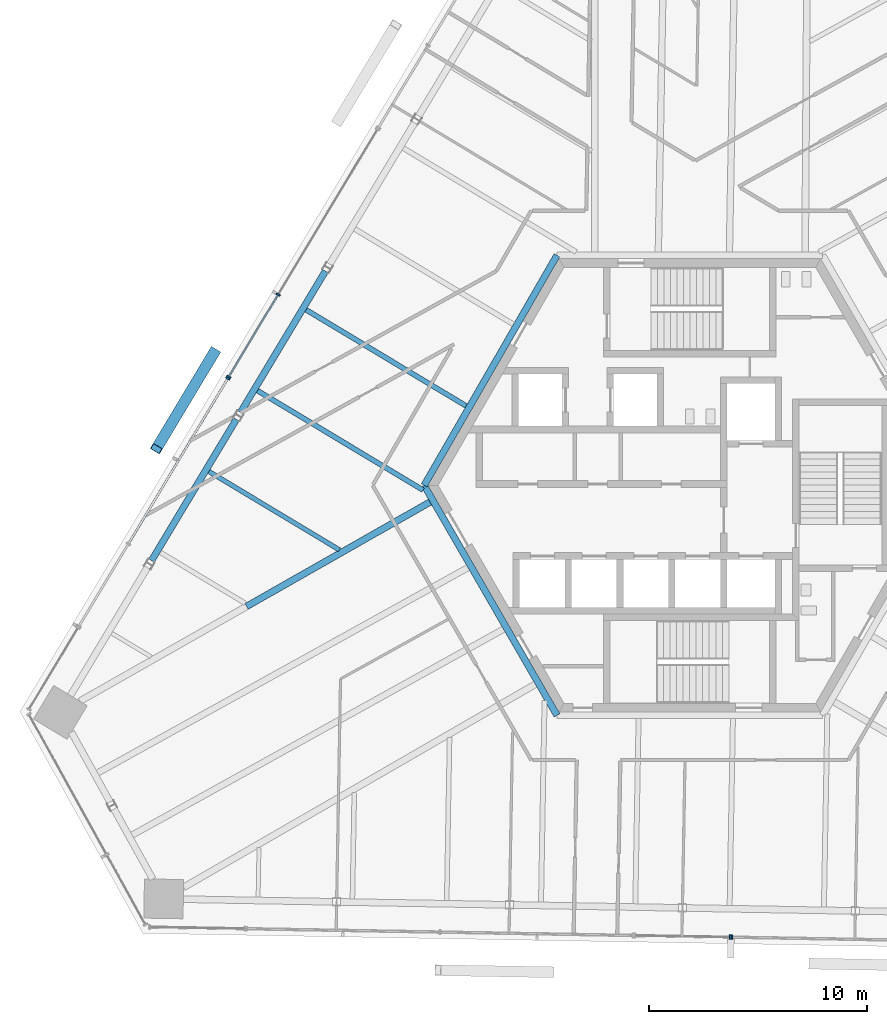
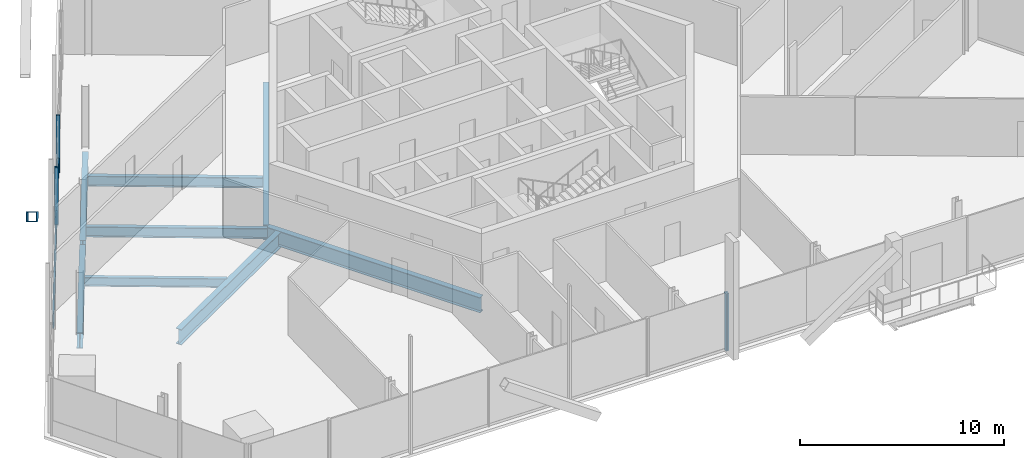
# One storey, part 5 of 21: 8 beams, 8 members, 4 elements without a shape of their own.
"""IFC4 building model written with IfcOpenShell, lengths in metres."""

from ifc_helpers import new_model, si_unit, direction, frame, origin, origin_2d, place, context, subcontext, project, spatial, rectangle, hollow_rectangle, i_section, extrude, source, transform, mapped, material, material_profile, profile_set, type_object, element, aggregate, save


model = new_model("IFC4")

# Units and contexts
model_context = context("Model", 3, precision=1e-05, world=origin(), true_north=direction((0.0, 1.0)))
body_context = subcontext(model_context, "Body", "Model", "MODEL_VIEW")
ifc_project = project(units=[si_unit("LENGTHUNIT", "METRE"), si_unit("AREAUNIT", "SQUARE_METRE"), si_unit("VOLUMEUNIT", "CUBIC_METRE"), si_unit("PLANEANGLEUNIT", "RADIAN"), si_unit("MASSUNIT", "GRAM", prefix="KILO")], contexts=[model_context])

# Site, building, storey
site_placement = place(None, origin())
site = spatial("IfcSite", under=ifc_project, at=site_placement, CompositionType="ELEMENT")
building_placement = place(site_placement, origin())
building = spatial("IfcBuilding", under=site, at=building_placement, Name="Triune Harvest Tower", CompositionType="ELEMENT")
storey_placement = place(building_placement, frame((0.0, 0.0, 201.5)))
storey = spatial("IfcBuildingStorey", under=building, at=storey_placement, Name="L52", CompositionType="ELEMENT", Elevation=201.5)

# Beams
ifc_material_1 = material(Name="Steel ASTM A992 Gr 50", Category="steel")
ifc_material_profile_1 = material_profile(ifc_material_1, i_section(OverallWidth=0.3046875, OverallDepth=0.914306640625, WebThickness=0.0166015625, FlangeThickness=0.02587890625, at=origin_2d()), Name="W36x160")
ifc_profile_set_1 = profile_set([ifc_material_profile_1], Name="Steel ASTM A992 Gr 50")
beam_type_1 = type_object("IfcBeamType", Name="CG-1 Core ring girder W36x160", PredefinedType="BEAM", material=ifc_profile_set_1)
shared_shape_1 = source(origin(), body_context, "Body", "SweptSolid", [
    extrude(i_section(OverallWidth=0.3046875, OverallDepth=0.914306640625, WebThickness=0.0166015625, FlangeThickness=0.02587890625, at=origin_2d()), origin(), (0.0, 0.0, 1.0), 12.176025390625),
])
for number, where, z_axis, x_axis, name in (
    (1, (-6.087890625, 10.544677734375, -0.6171875), (-0.5000099932, -0.866019634131, 0.0), (0.866019634131, -0.5000099932, 0.0), "beam/L52/CG3"),
    (2, (-12.176025390625, 0.0, -0.6171875), (0.5000099932, -0.866019634131, 0.0), (0.866019634131, 0.5000099932, 0.0), "beam/L52/CG4"),
):
    element("IfcBeam", number, at=place(storey_placement, frame(where, z_axis=z_axis, x_axis=x_axis)), inside=storey, type_object=beam_type_1, Name=name, PredefinedType="BEAM", context=body_context, shape_type="MappedRepresentation", body=[
        mapped(shared_shape_1, transform((0.0, 0.0, 0.0), scale=1.0)),
    ])
ifc_material_2 = material(Name="Steel ASTM A992 Gr 50", Category="steel")
ifc_material_profile_2 = material_profile(ifc_material_2, i_section(OverallWidth=0.307373046875, OverallDepth=0.922119140625, WebThickness=0.018310546875, FlangeThickness=0.030029296875, at=origin_2d()), Name="W36x182")
ifc_profile_set_2 = profile_set([ifc_material_profile_2], Name="Steel ASTM A992 Gr 50")
beam_type_2 = type_object("IfcBeamType", Name="HG-2 Hip girder W36x182", PredefinedType="BEAM", material=ifc_profile_set_2)
shared_shape_2 = source(origin(), body_context, "Body", "SweptSolid", [
    extrude(i_section(OverallWidth=0.307373046875, OverallDepth=0.922119140625, WebThickness=0.018310546875, FlangeThickness=0.030029296875, at=origin_2d()), origin(), (0.0, 0.0, 1.0), 9.672119140625),
])
beam_1_placement = place(storey_placement, frame((-20.31591796875, -5.549560546875, -0.62109375), z_axis=(0.869255664029, 0.494362812673, 0.0), x_axis=(-0.494362812673, 0.869255664029, 0.0)))
element("IfcBeam", 3, at=beam_1_placement, inside=storey, type_object=beam_type_2, Name="beam/L52/HG6", PredefinedType="BEAM", context=body_context, shape_type="MappedRepresentation", body=[
    mapped(shared_shape_2, transform((0.0, 0.0, 0.0), scale=1.0)),
])
ifc_material_3 = material(Name="Steel ASTM A992 Gr 50", Category="steel")
ifc_material_profile_3 = material_profile(ifc_material_3, i_section(OverallWidth=0.3046875, OverallDepth=0.914306640625, WebThickness=0.0166015625, FlangeThickness=0.02587890625, at=origin_2d()), Name="W36x160")
ifc_profile_set_3 = profile_set([ifc_material_profile_3], Name="Steel ASTM A992 Gr 50")
beam_type_3 = type_object("IfcBeamType", Name="SB-1 Spandrel beam W36x160", PredefinedType="SPANDREL", material=ifc_profile_set_3)
shared_shape_3 = source(origin(), body_context, "Body", "SweptSolid", [
    extrude(i_section(OverallWidth=0.3046875, OverallDepth=0.914306640625, WebThickness=0.0166015625, FlangeThickness=0.02587890625, at=origin_2d()), origin(), (0.0, 0.0, 1.0), 7.556396484375),
])
for number, where, z_axis, x_axis, name in (
    (4, (-16.702880859375, 9.81982421875, -0.6171875), (-0.515065795781, -0.857150643712, 0.0), (0.857150643712, -0.515065795781, 0.0), "beam/L52/SB12"),
    (5, (-20.785888671875, 3.02490234375, -0.6171875), (-0.51504205773, -0.85716490757, 0.0), (0.85716490757, -0.51504205773, 0.0), "beam/L52/SB13"),
):
    element("IfcBeam", number, at=place(storey_placement, frame(where, z_axis=z_axis, x_axis=x_axis)), inside=storey, type_object=beam_type_3, Name=name, PredefinedType="SPANDREL", context=body_context, shape_type="MappedRepresentation", body=[
        mapped(shared_shape_3, transform((0.0, 0.0, 0.0), scale=1.0)),
    ])
ifc_material_4 = material(Name="Steel ASTM A992 Gr 50", Category="steel")
ifc_material_profile_4 = material_profile(ifc_material_4, i_section(OverallWidth=0.22900390625, OverallDepth=0.612060546875, WebThickness=0.011962890625, FlangeThickness=0.01953125, at=origin_2d()), Name="W24x84")
ifc_profile_set_4 = profile_set([ifc_material_profile_4], Name="Steel ASTM A992 Gr 50")
beam_type_4 = type_object("IfcBeamType", Name="JT-3 Floor joist W24x84", PredefinedType="JOIST", material=ifc_profile_set_4)
shared_shape_4 = source(origin(), body_context, "Body", "SweptSolid", [
    extrude(i_section(OverallWidth=0.22900390625, OverallDepth=0.612060546875, WebThickness=0.011962890625, FlangeThickness=0.01953125, at=origin_2d()), origin(), (0.0, 0.0, 1.0), 8.85888671875),
])
beam_2_placement = place(storey_placement, frame((-19.8173828125, 4.3408203125, -0.466064453125), z_axis=(0.857174209269, -0.515026576948, 0.0), x_axis=(0.515026576948, 0.857174209269, 0.0)))
element("IfcBeam", 6, at=beam_2_placement, inside=storey, type_object=beam_type_4, Name="beam/L52/JT19", PredefinedType="JOIST", context=body_context, shape_type="MappedRepresentation", body=[
    mapped(shared_shape_4, transform((0.0, 0.0, 0.0), scale=1.0)),
])
shared_shape_5 = source(origin(), body_context, "Body", "SweptSolid", [
    extrude(i_section(OverallWidth=0.22900390625, OverallDepth=0.612060546875, WebThickness=0.011962890625, FlangeThickness=0.01953125, at=origin_2d()), origin(), (0.0, 0.0, 1.0), 8.5615234375),
])
beam_3_placement = place(storey_placement, frame((-17.59033203125, 8.047119140625, -0.466064453125), z_axis=(0.857170691548, -0.515032431553, 0.0), x_axis=(0.515032431553, 0.857170691548, 0.0)))
element("IfcBeam", 7, at=beam_3_placement, inside=storey, type_object=beam_type_4, Name="beam/L52/JT18", PredefinedType="JOIST", context=body_context, shape_type="MappedRepresentation", body=[
    mapped(shared_shape_5, transform((0.0, 0.0, 0.0), scale=1.0)),
])
ifc_material_5 = material(Name="Steel ASTM A992 Gr 50", Category="steel")
ifc_material_profile_5 = material_profile(ifc_material_5, i_section(OverallWidth=0.2099609375, OverallDepth=0.535888671875, WebThickness=0.010986328125, FlangeThickness=0.017333984375, at=origin_2d()), Name="W21x68")
ifc_profile_set_5 = profile_set([ifc_material_profile_5], Name="Steel ASTM A992 Gr 50")
beam_type_5 = type_object("IfcBeamType", Name="JT-2 Floor joist W21x68", PredefinedType="JOIST", material=ifc_profile_set_5)
shared_shape_6 = source(origin(), body_context, "Body", "SweptSolid", [
    extrude(i_section(OverallWidth=0.2099609375, OverallDepth=0.535888671875, WebThickness=0.010986328125, FlangeThickness=0.017333984375, at=origin_2d()), origin(), (0.0, 0.0, 1.0), 6.972900390625),
])
beam_4_placement = place(storey_placement, frame((-22.04443359375, 0.634521484375, -0.427978515625), z_axis=(0.857162181364, -0.515046594823, 0.0), x_axis=(0.515046594823, 0.857162181364, 0.0)))
element("IfcBeam", 8, at=beam_4_placement, inside=storey, type_object=beam_type_5, Name="beam/L52/JT20", PredefinedType="JOIST", context=body_context, shape_type="MappedRepresentation", body=[
    mapped(shared_shape_6, transform((0.0, 0.0, 0.0), scale=1.0)),
])

# Member
ifc_material_6 = material(Name="Steel ASTM A572 Gr 50", Category="steel")
ifc_material_profile_6 = material_profile(ifc_material_6, hollow_rectangle(XDim=0.5, YDim=0.5, WallThickness=0.030029296875, at=origin_2d()), Name="Box 500x500x30")
ifc_profile_set_6 = profile_set([ifc_material_profile_6], Name="Steel ASTM A572 Gr 50")
member_type_1 = type_object("IfcMemberType", Name="BR-3 Brace Box 500x500x30", PredefinedType="BRACE", material=ifc_profile_set_6)
shared_shape_7 = source(origin(), body_context, "Body", "SweptSolid", [
    extrude(hollow_rectangle(XDim=0.5, YDim=0.5, WallThickness=0.030029296875, at=origin_2d()), origin(), (0.0, 0.0, 1.0), 6.302978515625),
])
member_1_placement = place(storey_placement, frame((-21.789794921875, 6.114990234375, 0.0), z_axis=(-0.422784976132, -0.703569977687, 0.571176111593), x_axis=(0.857147139757, -0.515071626869, 0.0)))
element("IfcMember", 9, at=member_1_placement, inside=storey, type_object=member_type_1, Name="brace/B5-F3/d1/7", PredefinedType="BRACE", context=body_context, shape_type="MappedRepresentation", body=[
    mapped(shared_shape_7, transform((0.0, 0.0, 0.0), scale=1.0)),
])

# Curtain wall, members
ifc_material_7 = material(Name="Aluminium bronze anodised", Category="aluminium")
curtain_wall_type_1 = type_object("IfcCurtainWallType", Name="CW-1 Tower stick curtain wall", PredefinedType="NOTDEFINED", material=ifc_material_7)
curtain_wall_1_placement = place(storey_placement, origin())
curtain_wall_1 = element("IfcCurtainWall", 10, at=curtain_wall_1_placement, inside=storey, type_object=curtain_wall_type_1, Name="CW-1 B5-F3 L52 run 2001")
ifc_material_8 = material(Name="Aluminium bronze anodised", Category="aluminium")
ifc_material_profile_7 = material_profile(ifc_material_8, rectangle(XDim=0.199951171875, YDim=0.074951171875, at=origin_2d()), Name="MU-1 mullion 75 x 200")
ifc_profile_set_7 = profile_set([ifc_material_profile_7], Name="Aluminium bronze anodised")
member_type_2 = type_object("IfcMemberType", Name="MU-1 mullion 75 x 200", PredefinedType="MULLION", material=ifc_profile_set_7)
shared_shape_8 = source(origin(), body_context, "Body", "SweptSolid", [
    extrude(rectangle(XDim=0.199951171875, YDim=0.074951171875, at=origin_2d()), origin(), (0.0, 0.0, 1.0), 3.43994140625),
])
member_2_placement = place(storey_placement, frame((-18.8681640625, 8.74462890625, 0.0), z_axis=(0.0, 0.0, 1.0), x_axis=(0.857171790128, -0.515030603177, 0.0)))
member_2 = element("IfcMember", 11, at=member_2_placement, type_object=member_type_2, Name="CW-1 mullion B5-F3 2001.3", PredefinedType="MULLION", context=body_context, shape_type="MappedRepresentation", body=[
    mapped(shared_shape_8, transform((0.0, 0.0, 0.0), scale=1.0)),
])
member_3_placement = place(storey_placement, frame((-21.1376953125, 4.96728515625, 0.0), z_axis=(0.0, 0.0, 1.0), x_axis=(0.857171790128, -0.515030603177, 0.0)))
member_3 = element("IfcMember", 12, at=member_3_placement, type_object=member_type_2, Name="CW-1 mullion B5-F3 2001.4", PredefinedType="MULLION", context=body_context, shape_type="MappedRepresentation", body=[
    mapped(shared_shape_8, transform((0.0, 0.0, 0.0), scale=1.0)),
])

# Curtain wall, member
ifc_material_9 = material(Name="Aluminium bronze anodised", Category="aluminium")
curtain_wall_type_2 = type_object("IfcCurtainWallType", Name="CW-7 Tower stick curtain wall with insulated spandrel infill", PredefinedType="NOTDEFINED", material=ifc_material_9)
curtain_wall_2_placement = place(storey_placement, origin())
curtain_wall_2 = element("IfcCurtainWall", 13, at=curtain_wall_2_placement, inside=storey, type_object=curtain_wall_type_2, Name="CW-7 B5-F3 L52 run 3001")
member_4_placement = place(storey_placement, frame((-21.176513671875, 4.903076171875, 0.0), z_axis=(0.0, 0.0, 1.0), x_axis=(0.857166489407, -0.51503942513, 0.0)))
member_4 = element("IfcMember", 14, at=member_4_placement, type_object=member_type_2, Name="CW-7 mullion B5-F3 3001.1", PredefinedType="MULLION", context=body_context, shape_type="MappedRepresentation", body=[
    mapped(shared_shape_8, transform((0.0, 0.0, 0.0), scale=1.0)),
])

ifc_material_10 = material(Name="Aluminium bronze anodised", Category="aluminium")
curtain_wall_type_3 = type_object("IfcCurtainWallType", Name="CW-6 Balcony window wall", PredefinedType="NOTDEFINED", material=ifc_material_10)
curtain_wall_3_placement = place(storey_placement, origin())
curtain_wall_3 = element("IfcCurtainWall", 15, at=curtain_wall_3_placement, inside=storey, type_object=curtain_wall_type_3, Name="CW-6 B5-F5 L52 run 2001")
ifc_material_11 = material(Name="Aluminium bronze anodised", Category="aluminium")
ifc_material_profile_8 = material_profile(ifc_material_11, rectangle(XDim=0.199951171875, YDim=0.074951171875, at=origin_2d()), Name="MU-6 mullion 75 x 200")
ifc_profile_set_8 = profile_set([ifc_material_profile_8], Name="Aluminium bronze anodised")
member_type_3 = type_object("IfcMemberType", Name="MU-6 mullion 75 x 200", PredefinedType="MULLION", material=ifc_profile_set_8)
shared_shape_9 = source(origin(), body_context, "Body", "SweptSolid", [
    extrude(rectangle(XDim=0.199951171875, YDim=0.074951171875, at=origin_2d()), origin(), (0.0, 0.0, 1.0), 3.43994140625),
])
member_5_placement = place(storey_placement, frame((1.85400390625, -20.712646484375, 0.0), z_axis=(0.0, 0.0, 1.0), x_axis=(0.017463113133, 0.999847508213, 0.0)))
member_5 = element("IfcMember", 16, at=member_5_placement, type_object=member_type_3, Name="CW-6 mullion B5-F5 2001.2", PredefinedType="MULLION", context=body_context, shape_type="MappedRepresentation", body=[
    mapped(shared_shape_9, transform((0.0, 0.0, 0.0), scale=1.0)),
])
aggregate(curtain_wall_3, [member_5])

ifc_material_12 = material(Name="Aluminium bronze anodised", Category="aluminium")
curtain_wall_type_4 = type_object("IfcCurtainWallType", Name="CW-10 Balcony window wall with insulated spandrel infill", PredefinedType="NOTDEFINED", material=ifc_material_12)
curtain_wall_4_placement = place(storey_placement, origin())
curtain_wall_4 = element("IfcCurtainWall", 17, at=curtain_wall_4_placement, inside=storey, type_object=curtain_wall_type_4, Name="CW-10 B5-F5 L52 run 3001")
member_6_placement = place(storey_placement, frame((1.92919921875, -20.7138671875, 0.0), z_axis=(0.0, 0.0, 1.0), x_axis=(0.017447722617, 0.999847776902, 0.0)))
member_6 = element("IfcMember", 18, at=member_6_placement, type_object=member_type_3, Name="CW-10 mullion B5-F5 3001.1", PredefinedType="MULLION", context=body_context, shape_type="MappedRepresentation", body=[
    mapped(shared_shape_9, transform((0.0, 0.0, 0.0), scale=1.0)),
])
aggregate(curtain_wall_4, [member_6])

# Member
ifc_material_13 = material(Name="Aluminium bronze anodised", Category="aluminium")
ifc_material_profile_9 = material_profile(ifc_material_13, rectangle(XDim=0.090087890625, YDim=0.89990234375, at=origin_2d()), Name="TR-1 transom 90 x 900")
ifc_profile_set_9 = profile_set([ifc_material_profile_9], Name="Aluminium bronze anodised")
member_type_4 = type_object("IfcMemberType", Name="TR-1 transom 90 x 900", PredefinedType="USERDEFINED", material=ifc_profile_set_9)
shared_shape_10 = source(origin(), body_context, "Body", "SweptSolid", [
    extrude(rectangle(XDim=0.090087890625, YDim=0.89990234375, at=origin_2d()), origin(), (0.0, 0.0, 1.0), 4.331787109375),
])
member_7_placement = place(storey_placement, frame((-18.887451171875, 8.712646484375, 0.449951171875), z_axis=(-0.515017819003, -0.857179471353, 0.0), x_axis=(0.857179471353, -0.515017819003, 0.0)))
member_7 = element("IfcMember", 19, at=member_7_placement, type_object=member_type_4, Name="CW-1 transom B5-F3 2001.2", ObjectType="TRANSOM", PredefinedType="USERDEFINED", context=body_context, shape_type="MappedRepresentation", body=[
    mapped(shared_shape_10, transform((0.0, 0.0, 0.0), scale=1.0)),
])

aggregate(curtain_wall_1, [member_2, member_3, member_7])

shared_shape_11 = source(origin(), body_context, "Body", "SweptSolid", [
    extrude(rectangle(XDim=0.090087890625, YDim=0.89990234375, at=origin_2d()), origin(), (0.0, 0.0, 1.0), 8.77587890625),
])
member_8_placement = place(storey_placement, frame((-21.19580078125, 4.870849609375, 0.449951171875), z_axis=(-0.515043851299, -0.857163829871, 0.0), x_axis=(0.857163829871, -0.515043851299, 0.0)))
member_8 = element("IfcMember", 20, at=member_8_placement, type_object=member_type_4, Name="CW-7 transom B5-F3 3001.1", ObjectType="TRANSOM", PredefinedType="USERDEFINED", context=body_context, shape_type="MappedRepresentation", body=[
    mapped(shared_shape_11, transform((0.0, 0.0, 0.0), scale=1.0)),
])

aggregate(curtain_wall_2, [member_4, member_8])

save(model, "model.ifc")
